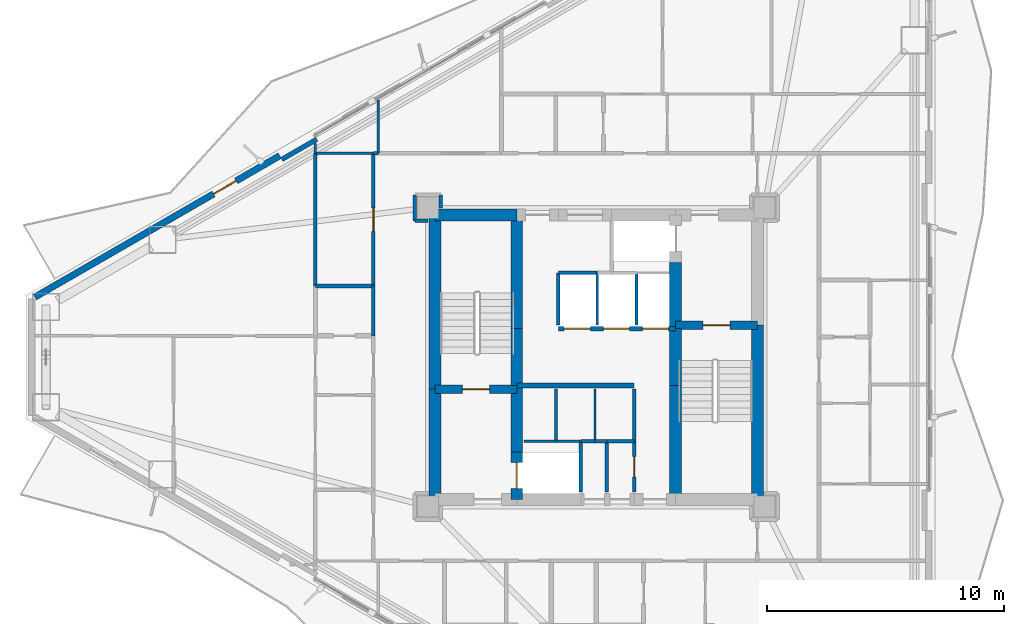
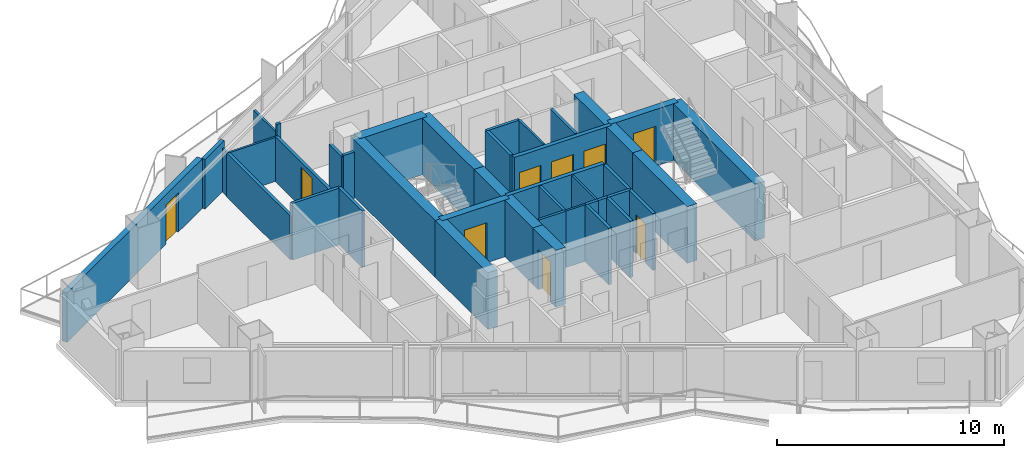
# One storey, part 17 of 23: 43 walls, 9 doors, 9 openings.
"""IFC4 building model written with IfcOpenShell, lengths in metres."""

from ifc_helpers import new_model, si_unit, direction, frame, frame_2d, origin, place, context, subcontext, project, spatial, rectangle, extrude, material, layer, layer_set, type_object, element, fill, save


model = new_model("IFC4")

# Units and contexts
model_context = context("Model", 3, precision=1e-05, world=origin(), true_north=direction((0.0, 1.0)))
body_context = subcontext(model_context, "Body", "Model", "MODEL_VIEW")
ifc_project = project(units=[si_unit("LENGTHUNIT", "METRE"), si_unit("AREAUNIT", "SQUARE_METRE"), si_unit("VOLUMEUNIT", "CUBIC_METRE"), si_unit("PLANEANGLEUNIT", "RADIAN"), si_unit("MASSUNIT", "GRAM", prefix="KILO")], contexts=[model_context])

# Site, building, storey
site_placement = place(None, origin())
site = spatial("IfcSite", under=ifc_project, at=site_placement, CompositionType="ELEMENT")
building_placement = place(site_placement, origin())
building = spatial("IfcBuilding", under=site, at=building_placement, Name="Mersakhor Tower and Convention Hall", CompositionType="ELEMENT")
storey_placement = place(building_placement, frame((0.0, 0.0, 73.5)))
storey = spatial("IfcBuildingStorey", under=building, at=storey_placement, Name="L19", CompositionType="ELEMENT", Elevation=73.5)

# Wall, opening, door
ifc_material_1 = material(Name="Precast concrete C45/55", Category="concrete")
ifc_layer_1 = layer(ifc_material_1, 0.27490234375)
ifc_layer_set_1 = layer_set([ifc_layer_1], Name="Precast concrete C45/55")
wall_type_1 = type_object("IfcWallType", Name="WL-EXT-275", PredefinedType="SOLIDWALL", material=ifc_layer_set_1)
wall_1_placement = place(storey_placement, frame((5.316650390625, 29.2822265625, 0.0), z_axis=(0.0, 0.0, 1.0), x_axis=(0.866023023012, 0.500004123596, 0.0)))
wall_1 = element("IfcWall", 1, at=wall_1_placement, inside=storey, type_object=wall_type_1, Name="L19 Exterior Facade Wall F1-B1", PredefinedType="SOLIDWALL", context=body_context, shape_type="SweptSolid", body=[
    extrude(rectangle(XDim=11.9296875, YDim=0.27490234375, at=frame_2d((5.96484375, 0.0))), origin(), (0.0, 0.0, 1.0), 2.669921875),
])
opening_1_placement = place(wall_1_placement, frame((8.7041015625, 0.0, 0.0)))
opening_1 = element("IfcOpeningElement", 2, at=opening_1_placement, cuts=wall_1, Name="Opening BD-02", PredefinedType="OPENING", context=body_context, shape_type="SweptSolid", body=[
    extrude(rectangle(XDim=1.10009765625, YDim=2.10009765625, at=frame_2d((0.550048828125, 1.050048828125))), frame((0.0, 0.1474609375, 0.0), z_axis=(0.0, -1.0, 0.0), x_axis=(1.0, 0.0, 0.0)), (0.0, 0.0, 1.0), 0.294921875),
])
ifc_material_2 = material(Name="Thermally broken dark aluminium and safety glass", Category="aluminium")
door_type_1 = type_object("IfcDoorType", Name="DR-BAL-110x210", OperationType="NOTDEFINED", PredefinedType="DOOR", material=ifc_material_2)
door_1_placement = place(opening_1_placement, origin())
door_1 = element("IfcDoor", 3, at=door_1_placement, inside=storey, type_object=door_type_1, Name="L19 Balcony Terrace Door F1-B1", OperationType="SINGLE_SWING_RIGHT", OverallHeight=2.10009765625, OverallWidth=1.10009765625, PredefinedType="DOOR", context=body_context, shape_type="SweptSolid", body=[
    extrude(rectangle(XDim=1.10009765625, YDim=2.10009765625, at=frame_2d((0.550048828125, 1.050048828125))), frame((0.0, 0.02490234375, 0.0), z_axis=(0.0, -1.0, 0.0), x_axis=(1.0, 0.0, 0.0)), (0.0, 0.0, 1.0), 0.050048828125),
])
fill(opening_1, door_1)

# Walls
ifc_material_3 = material(Name="Precast concrete C40/50", Category="concrete")
ifc_layer_2 = layer(ifc_material_3, 0.199951171875)
ifc_layer_set_2 = layer_set([ifc_layer_2], Name="Precast concrete C40/50")
wall_type_2 = type_object("IfcWallType", Name="WL-PAR-200", PredefinedType="PARAPET", material=ifc_layer_set_2)
wall_2_placement = place(storey_placement, frame((15.73779296875, 35.091064453125, 0.0), z_axis=(0.0, 0.0, 1.0), x_axis=(0.866025371046, 0.500000056704, 0.0)))
element("IfcWall", 4, at=wall_2_placement, inside=storey, type_object=wall_type_2, Name="L19 Column Pier Cladding Wall F1-C1", PredefinedType="PARAPET", context=body_context, shape_type="SweptSolid", body=[
    extrude(rectangle(XDim=1.7001953125, YDim=0.199951171875, at=frame_2d((0.85009765625, 0.0))), origin(), (0.0, 0.0, 1.0), 2.669921875),
])
ifc_material_4 = material(Name="Lightweight gypsum partition", Category="other")
ifc_layer_3 = layer(ifc_material_4, 0.10009765625)
ifc_layer_set_3 = layer_set([ifc_layer_3], Name="Lightweight gypsum partition")
wall_type_3 = type_object("IfcWallType", Name="WL-PRT-100", PredefinedType="PARTITIONING", material=ifc_layer_set_3)
wall_3_placement = place(storey_placement, frame((27.300048828125, 23.199951171875, 0.0), z_axis=(0.0, 0.0, 1.0), x_axis=(1.0, 0.0, 0.0)))
element("IfcWall", 5, at=wall_3_placement, inside=storey, type_object=wall_type_3, Name="L19 Interior Partition Wall P-002", PredefinedType="PARTITIONING", context=body_context, shape_type="SweptSolid", body=[
    extrude(rectangle(XDim=1.050048828125, YDim=0.10009765625, at=frame_2d((0.52490234375, 0.0))), origin(), (0.0, 0.0, 1.0), 3.050048828125),
])
for number, where, z_axis, x_axis, name in (
    (6, (28.949951171875, 25.39990234375, 0.0), (0.0, 0.0, 1.0), (0.0, -1.0, 0.0), "L19 Interior Partition Wall P-008"),
    (7, (29.050048828125, 30.300048828125, 0.0), (0.0, 0.0, 1.0), (0.0, -1.0, 0.0), "L19 Interior Partition Wall P-014"),
):
    element("IfcWall", number, at=place(storey_placement, frame(where, z_axis=z_axis, x_axis=x_axis)), inside=storey, type_object=wall_type_3, Name=name, PredefinedType="PARTITIONING", context=body_context, shape_type="SweptSolid", body=[
        extrude(rectangle(XDim=2.199951171875, YDim=0.10009765625, at=frame_2d((1.10009765625, 0.0))), origin(), (0.0, 0.0, 1.0), 3.050048828125),
    ])
wall_4_placement = place(storey_placement, frame((19.800048828125, 35.35009765625, 0.0), z_axis=(0.0, 0.0, 1.0), x_axis=(0.0, 1.0, 0.0)))
element("IfcWall", 8, at=wall_4_placement, inside=storey, type_object=wall_type_3, Name="L19 Interior Partition Wall P-104", PredefinedType="PARTITIONING", context=body_context, shape_type="SweptSolid", body=[
    extrude(rectangle(XDim=2.25244140625, YDim=0.10009765625, at=frame_2d((1.126220703125, 0.0))), origin(), (0.0, 0.0, 1.0), 2.364990234375),
])
wall_5_placement = place(storey_placement, frame((17.14990234375, 35.35009765625, 0.0), z_axis=(0.0, 0.0, 1.0), x_axis=(1.0, 0.0, 0.0)))
element("IfcWall", 9, at=wall_5_placement, inside=storey, type_object=wall_type_3, Name="L19 Interior Partition Wall P-106", PredefinedType="PARTITIONING", context=body_context, shape_type="SweptSolid", body=[
    extrude(rectangle(XDim=2.4501953125, YDim=0.10009765625, at=frame_2d((1.22509765625, 0.0))), origin(), (0.0, 0.0, 1.0), 2.364990234375),
])
wall_6_placement = place(storey_placement, frame((17.14990234375, 35.76318359375, 0.0), z_axis=(0.0, 0.0, 1.0), x_axis=(0.0, -1.0, 0.0)))
element("IfcWall", 10, at=wall_6_placement, inside=storey, type_object=wall_type_3, Name="L19 Interior Partition Wall P-132", PredefinedType="PARTITIONING", context=body_context, shape_type="SweptSolid", body=[
    extrude(rectangle(XDim=0.4130859375, YDim=0.10009765625, at=frame_2d((0.20654296875, 0.0))), origin(), (0.0, 0.0, 1.0), 2.364990234375),
])
ifc_material_5 = material(Name="Gypsum board acoustic partition", Category="other")
ifc_layer_4 = layer(ifc_material_5, 0.125)
ifc_layer_set_4 = layer_set([ifc_layer_4], Name="Gypsum board acoustic partition")
wall_type_4 = type_object("IfcWallType", Name="WL-PRT-125", PredefinedType="PARTITIONING", material=ifc_layer_set_4)
wall_7_placement = place(storey_placement, frame((25.949951171875, 23.199951171875, 0.0), z_axis=(0.0, 0.0, 1.0), x_axis=(1.0, 0.0, 0.0)))
element("IfcWall", 11, at=wall_7_placement, inside=storey, type_object=wall_type_4, Name="L19 Interior Partition Wall P-001", PredefinedType="PARTITIONING", context=body_context, shape_type="SweptSolid", body=[
    extrude(rectangle(XDim=1.35009765625, YDim=0.125, at=frame_2d((0.675048828125, 0.0))), origin(), (0.0, 0.0, 1.0), 3.050048828125),
])
for number, where, z_axis, x_axis, name in (
    (12, (27.300048828125, 25.39990234375, 0.0), (0.0, 0.0, 1.0), (0.0, -1.0, 0.0), "L19 Interior Partition Wall P-007"),
    (13, (30.699951171875, 30.300048828125, 0.0), (0.0, 0.0, 1.0), (0.0, -1.0, 0.0), "L19 Interior Partition Wall P-017"),
):
    element("IfcWall", number, at=place(storey_placement, frame(where, z_axis=z_axis, x_axis=x_axis)), inside=storey, type_object=wall_type_4, Name=name, PredefinedType="PARTITIONING", context=body_context, shape_type="SweptSolid", body=[
        extrude(rectangle(XDim=2.199951171875, YDim=0.125, at=frame_2d((1.10009765625, 0.0))), origin(), (0.0, 0.0, 1.0), 3.050048828125),
    ])
ifc_material_6 = material(Name="Fire-rated gypsum board stud partition", Category="other")
ifc_layer_5 = layer(ifc_material_6, 0.14990234375)
ifc_layer_set_5 = layer_set([ifc_layer_5], Name="Fire-rated gypsum board stud partition")
wall_type_5 = type_object("IfcWallType", Name="WL-PRT-150", PredefinedType="PARTITIONING", material=ifc_layer_set_5)
wall_8_placement = place(storey_placement, frame((28.35009765625, 23.199951171875, 0.0), z_axis=(0.0, 0.0, 1.0), x_axis=(0.0, -1.0, 0.0)))
element("IfcWall", 14, at=wall_8_placement, inside=storey, type_object=wall_type_5, Name="L19 Interior Partition Wall P-003", PredefinedType="PARTITIONING", context=body_context, shape_type="SweptSolid", body=[
    extrude(rectangle(XDim=2.14990234375, YDim=0.14990234375, at=frame_2d((1.074951171875, 0.0))), origin(), (0.0, 0.0, 1.0), 3.050048828125),
])
wall_9_placement = place(storey_placement, frame((28.949951171875, 23.199951171875, 0.0), z_axis=(0.0, 0.0, 1.0), x_axis=(-1.0, 0.0, 0.0)))
element("IfcWall", 15, at=wall_9_placement, inside=storey, type_object=wall_type_5, Name="L19 Interior Partition Wall P-009", PredefinedType="PARTITIONING", context=body_context, shape_type="SweptSolid", body=[
    extrude(rectangle(XDim=0.599853515625, YDim=0.14990234375, at=frame_2d((0.2998046875, 0.0))), origin(), (0.0, 0.0, 1.0), 3.050048828125),
])
wall_10_placement = place(storey_placement, frame((30.60009765625, 25.39990234375, 0.0), z_axis=(0.0, 0.0, 1.0), x_axis=(0.0, -1.0, 0.0)))
element("IfcWall", 16, at=wall_10_placement, inside=storey, type_object=wall_type_5, Name="L19 Interior Partition Wall P-010", PredefinedType="PARTITIONING", context=body_context, shape_type="SweptSolid", body=[
    extrude(rectangle(XDim=2.199951171875, YDim=0.14990234375, at=frame_2d((1.10009765625, 0.0))), origin(), (0.0, 0.0, 1.0), 3.050048828125),
])
wall_11_placement = place(storey_placement, frame((30.60009765625, 23.199951171875, 0.0), z_axis=(0.0, 0.0, 1.0), x_axis=(-1.0, 0.0, 0.0)))
element("IfcWall", 17, at=wall_11_placement, inside=storey, type_object=wall_type_5, Name="L19 Interior Partition Wall P-011", PredefinedType="PARTITIONING", context=body_context, shape_type="SweptSolid", body=[
    extrude(rectangle(XDim=1.150146484375, YDim=0.14990234375, at=frame_2d((0.5751953125, 0.0))), origin(), (0.0, 0.0, 1.0), 3.050048828125),
])
wall_12_placement = place(storey_placement, frame((29.449951171875, 23.199951171875, 0.0), z_axis=(0.0, 0.0, 1.0), x_axis=(-1.0, 0.0, 0.0)))
element("IfcWall", 18, at=wall_12_placement, inside=storey, type_object=wall_type_5, Name="L19 Interior Partition Wall P-012", PredefinedType="PARTITIONING", context=body_context, shape_type="SweptSolid", body=[
    extrude(rectangle(XDim=0.5, YDim=0.14990234375, at=frame_2d((0.25, 0.0))), origin(), (0.0, 0.0, 1.0), 3.050048828125),
])
wall_13_placement = place(storey_placement, frame((27.39990234375, 30.300048828125, 0.0), z_axis=(0.0, 0.0, 1.0), x_axis=(1.0, 0.0, 0.0)))
element("IfcWall", 19, at=wall_13_placement, inside=storey, type_object=wall_type_5, Name="L19 Interior Partition Wall P-013", PredefinedType="PARTITIONING", context=body_context, shape_type="SweptSolid", body=[
    extrude(rectangle(XDim=1.650146484375, YDim=0.14990234375, at=frame_2d((0.8251953125, 0.0))), origin(), (0.0, 0.0, 1.0), 3.050048828125),
])
wall_14_placement = place(storey_placement, frame((27.39990234375, 28.10009765625, 0.0), z_axis=(0.0, 0.0, 1.0), x_axis=(0.0, 1.0, 0.0)))
element("IfcWall", 20, at=wall_14_placement, inside=storey, type_object=wall_type_5, Name="L19 Interior Partition Wall P-015", PredefinedType="PARTITIONING", context=body_context, shape_type="SweptSolid", body=[
    extrude(rectangle(XDim=2.199951171875, YDim=0.14990234375, at=frame_2d((1.10009765625, 0.0))), origin(), (0.0, 0.0, 1.0), 3.050048828125),
])

# Wall, opening, door
wall_15_placement = place(storey_placement, frame((30.60009765625, 21.050048828125, 0.0), z_axis=(0.0, 0.0, 1.0), x_axis=(0.0, 1.0, 0.0)))
wall_15 = element("IfcWall", 21, at=wall_15_placement, inside=storey, type_object=wall_type_5, Name="L19 Interior Partition Wall P-018", PredefinedType="PARTITIONING", context=body_context, shape_type="SweptSolid", body=[
    extrude(rectangle(XDim=2.14990234375, YDim=0.14990234375, at=frame_2d((1.074951171875, 0.0))), origin(), (0.0, 0.0, 1.0), 3.050048828125),
])
opening_2_placement = place(wall_15_placement, frame((0.64990234375, 0.0, 0.0)))
opening_2 = element("IfcOpeningElement", 22, at=opening_2_placement, cuts=wall_15, Name="Opening SVD-01", PredefinedType="OPENING", context=body_context, shape_type="SweptSolid", body=[
    extrude(rectangle(XDim=0.85009765625, YDim=2.10009765625, at=frame_2d((0.425048828125, 1.050048828125))), frame((0.0, 0.0849609375, 0.0), z_axis=(0.0, -1.0, 0.0), x_axis=(1.0, 0.0, 0.0)), (0.0, 0.0, 1.0), 0.169921875),
])
ifc_material_7 = material(Name="Fire-rated hardwood leaf and painted steel frame", Category="steel")
door_type_2 = type_object("IfcDoorType", Name="DR-INT-SVC-085x210", OperationType="NOTDEFINED", PredefinedType="DOOR", material=ifc_material_7)
door_2_placement = place(opening_2_placement, origin())
door_2 = element("IfcDoor", 23, at=door_2_placement, inside=storey, type_object=door_type_2, Name="L19 Central Passenger Lift Lobby to Core Maintenance Store Room Door", OperationType="SINGLE_SWING_LEFT", OverallHeight=2.10009765625, OverallWidth=0.85009765625, PredefinedType="DOOR", context=body_context, shape_type="SweptSolid", body=[
    extrude(rectangle(XDim=0.85009765625, YDim=2.10009765625, at=frame_2d((0.425048828125, 1.050048828125))), frame((0.0, 0.02490234375, 0.0), z_axis=(0.0, -1.0, 0.0), x_axis=(1.0, 0.0, 0.0)), (0.0, 0.0, 1.0), 0.050048828125),
])
fill(opening_2, door_2)

# Wall
wall_16_placement = place(storey_placement, frame((19.60009765625, 27.64990234375, 0.0), z_axis=(0.0, 0.0, 1.0), x_axis=(0.0, 1.0, 0.0)))
element("IfcWall", 24, at=wall_16_placement, inside=storey, type_object=wall_type_5, Name="L19 Interior Partition Wall P-035", PredefinedType="PARTITIONING", context=body_context, shape_type="SweptSolid", body=[
    extrude(rectangle(XDim=2.10009765625, YDim=0.14990234375, at=frame_2d((1.050048828125, 0.0))), origin(), (0.0, 0.0, 1.0), 3.050048828125),
])

# Wall, opening, door
wall_17_placement = place(storey_placement, frame((19.60009765625, 29.75, 0.0), z_axis=(0.0, 0.0, 1.0), x_axis=(0.0, 1.0, 0.0)))
wall_17 = element("IfcWall", 25, at=wall_17_placement, inside=storey, type_object=wall_type_5, Name="L19 Interior Partition Wall P-036", PredefinedType="PARTITIONING", context=body_context, shape_type="SweptSolid", body=[
    extrude(rectangle(XDim=5.60009765625, YDim=0.14990234375, at=frame_2d((2.800048828125, 0.0))), origin(), (0.0, 0.0, 1.0), 2.4228515625),
])
opening_3_placement = place(wall_17_placement, frame((2.300048828125, 0.0, 0.0)))
opening_3 = element("IfcOpeningElement", 26, at=opening_3_placement, cuts=wall_17, Name="Opening FD-01", PredefinedType="OPENING", context=body_context, shape_type="SweptSolid", body=[
    extrude(rectangle(XDim=1.0, YDim=2.14990234375, at=frame_2d((0.5, 1.074951171875))), frame((0.0, 0.0849609375, 0.0), z_axis=(0.0, -1.0, 0.0), x_axis=(1.0, 0.0, 0.0)), (0.0, 0.0, 1.0), 0.169921875),
])
ifc_material_8 = material(Name="Fire-rated hardwood leaf and painted steel frame", Category="steel")
door_type_3 = type_object("IfcDoorType", Name="DR-INT-FLT-100x215", OperationType="NOTDEFINED", PredefinedType="DOOR", material=ifc_material_8)
door_3_placement = place(opening_3_placement, origin())
door_3 = element("IfcDoor", 27, at=door_3_placement, inside=storey, type_object=door_type_3, Name="L19 Residential Ring Corridor to L19 West Wing Shared Study Room Door", OperationType="SINGLE_SWING_RIGHT", OverallHeight=2.14990234375, OverallWidth=1.0, PredefinedType="DOOR", context=body_context, shape_type="SweptSolid", body=[
    extrude(rectangle(XDim=1.0, YDim=2.14990234375, at=frame_2d((0.5, 1.074951171875))), frame((0.0, 0.02490234375, 0.0), z_axis=(0.0, -1.0, 0.0), x_axis=(1.0, 0.0, 0.0)), (0.0, 0.0, 1.0), 0.050048828125),
])
fill(opening_3, door_3)

# Walls
wall_18_placement = place(storey_placement, frame((19.60009765625, 35.35009765625, 0.0), z_axis=(0.0, 0.0, 1.0), x_axis=(1.0, 0.0, 0.0)))
element("IfcWall", 28, at=wall_18_placement, inside=storey, type_object=wall_type_5, Name="L19 Interior Partition Wall P-037", PredefinedType="PARTITIONING", context=body_context, shape_type="SweptSolid", body=[
    extrude(rectangle(XDim=0.199951171875, YDim=0.14990234375, at=frame_2d((0.10009765625, 0.0))), origin(), (0.0, 0.0, 1.0), 3.050048828125),
])
wall_19_placement = place(storey_placement, frame((22.449951171875, 33.050048828125, 0.0), z_axis=(0.0, 0.0, 1.0), x_axis=(0.0, 1.0, 0.0)))
element("IfcWall", 29, at=wall_19_placement, inside=storey, type_object=wall_type_5, Name="L19 Interior Partition Wall P-047", PredefinedType="PARTITIONING", context=body_context, shape_type="SweptSolid", body=[
    extrude(rectangle(XDim=0.550048828125, YDim=0.14990234375, at=frame_2d((0.27490234375, 0.0))), origin(), (0.0, 0.0, 1.0), 2.498291015625),
])
wall_20_placement = place(storey_placement, frame((21.35009765625, 33.60009765625, 0.0), z_axis=(0.0, 0.0, 1.0), x_axis=(0.0, -1.0, 0.0)))
element("IfcWall", 30, at=wall_20_placement, inside=storey, type_object=wall_type_5, Name="L19 Interior Partition Wall P-049", PredefinedType="PARTITIONING", context=body_context, shape_type="SweptSolid", body=[
    extrude(rectangle(XDim=1.10009765625, YDim=0.14990234375, at=frame_2d((0.550048828125, 0.0))), origin(), (0.0, 0.0, 1.0), 2.4228515625),
])
wall_21_placement = place(storey_placement, frame((21.35009765625, 32.5, 0.0), z_axis=(0.0, 0.0, 1.0), x_axis=(1.0, 0.0, 0.0)))
element("IfcWall", 31, at=wall_21_placement, inside=storey, type_object=wall_type_5, Name="L19 Interior Partition Wall P-050", PredefinedType="PARTITIONING", context=body_context, shape_type="SweptSolid", body=[
    extrude(rectangle(XDim=0.5498046875, YDim=0.14990234375, at=frame_2d((0.27490234375, 0.0))), origin(), (0.0, 0.0, 1.0), 2.498291015625),
])
wall_22_placement = place(storey_placement, frame((17.14990234375, 29.75, 0.0), z_axis=(0.0, 0.0, 1.0), x_axis=(1.0, 0.0, 0.0)))
element("IfcWall", 32, at=wall_22_placement, inside=storey, type_object=wall_type_5, Name="L19 Interior Partition Wall P-095", PredefinedType="PARTITIONING", context=body_context, shape_type="SweptSolid", body=[
    extrude(rectangle(XDim=2.4501953125, YDim=0.14990234375, at=frame_2d((1.22509765625, 0.0))), origin(), (0.0, 0.0, 1.0), 3.050048828125),
])
wall_23_placement = place(storey_placement, frame((29.449951171875, 23.199951171875, 0.0), z_axis=(0.0, 0.0, 1.0), x_axis=(0.0, -1.0, 0.0)))
element("IfcWall", 33, at=wall_23_placement, inside=storey, type_object=wall_type_5, Name="L19 Interior Partition Wall P-102", PredefinedType="PARTITIONING", context=body_context, shape_type="SweptSolid", body=[
    extrude(rectangle(XDim=2.14990234375, YDim=0.14990234375, at=frame_2d((1.074951171875, 0.0))), origin(), (0.0, 0.0, 1.0), 3.050048828125),
])
wall_24_placement = place(storey_placement, frame((17.14990234375, 29.75, 0.0), z_axis=(0.0, 0.0, 1.0), x_axis=(0.0, 1.0, 0.0)))
element("IfcWall", 34, at=wall_24_placement, inside=storey, type_object=wall_type_5, Name="L19 Interior Partition Wall P-105", PredefinedType="PARTITIONING", context=body_context, shape_type="SweptSolid", body=[
    extrude(rectangle(XDim=5.60009765625, YDim=0.14990234375, at=frame_2d((2.800048828125, 0.0))), origin(), (0.0, 0.0, 1.0), 2.364990234375),
])
ifc_material_9 = material(Name="Acoustic concrete blockwork and gypsum board", Category="masonry")
ifc_layer_6 = layer(ifc_material_9, 0.199951171875)
ifc_layer_set_6 = layer_set([ifc_layer_6], Name="Acoustic concrete blockwork and gypsum board")
wall_type_6 = type_object("IfcWallType", Name="WL-PRT-200", PredefinedType="PARTITIONING", material=ifc_layer_set_6)
wall_25_placement = place(storey_placement, frame((25.64990234375, 25.550048828125, 0.0), z_axis=(0.0, 0.0, 1.0), x_axis=(1.0, 0.0, 0.0)))
element("IfcWall", 35, at=wall_25_placement, inside=storey, type_object=wall_type_6, Name="L19 High-Rise Lift Bank Front Wall", PredefinedType="PARTITIONING", context=body_context, shape_type="SweptSolid", body=[
    extrude(rectangle(XDim=4.9501953125, YDim=0.199951171875, at=frame_2d((2.47509765625, 0.0))), origin(), (0.0, 0.0, 1.0), 3.050048828125),
])

# Wall, openings, doors
wall_26_placement = place(storey_placement, frame((27.39990234375, 27.949951171875, 0.0), z_axis=(0.0, 0.0, 1.0), x_axis=(1.0, 0.0, 0.0)))
wall_26 = element("IfcWall", 36, at=wall_26_placement, inside=storey, type_object=wall_type_6, Name="L19 Low-Rise Lift Bank Front Wall", PredefinedType="PARTITIONING", context=body_context, shape_type="SweptSolid", body=[
    extrude(rectangle(XDim=4.9501953125, YDim=0.199951171875, at=frame_2d((2.47509765625, 0.0))), origin(), (0.0, 0.0, 1.0), 3.050048828125),
])
opening_4_placement = place(wall_26_placement, frame((0.25, 0.0, 0.0)))
opening_4 = element("IfcOpeningElement", 37, at=opening_4_placement, cuts=wall_26, Name="Opening LD-P1", PredefinedType="OPENING", context=body_context, shape_type="SweptSolid", body=[
    extrude(rectangle(XDim=1.10009765625, YDim=2.14990234375, at=frame_2d((0.550048828125, 1.074951171875))), frame((0.0, 0.10986328125, 0.0), z_axis=(0.0, -1.0, 0.0), x_axis=(1.0, 0.0, 0.0)), (0.0, 0.0, 1.0), 0.219970703125),
])
opening_5_placement = place(wall_26_placement, frame((1.89990234375, 0.0, 0.0)))
opening_5 = element("IfcOpeningElement", 38, at=opening_5_placement, cuts=wall_26, Name="Opening LD-P2", PredefinedType="OPENING", context=body_context, shape_type="SweptSolid", body=[
    extrude(rectangle(XDim=1.10009765625, YDim=2.14990234375, at=frame_2d((0.550048828125, 1.074951171875))), frame((0.0, 0.10986328125, 0.0), z_axis=(0.0, -1.0, 0.0), x_axis=(1.0, 0.0, 0.0)), (0.0, 0.0, 1.0), 0.219970703125),
])
opening_6_placement = place(wall_26_placement, frame((3.550048828125, 0.0, 0.0)))
opening_6 = element("IfcOpeningElement", 39, at=opening_6_placement, cuts=wall_26, Name="Opening LD-P3", PredefinedType="OPENING", context=body_context, shape_type="SweptSolid", body=[
    extrude(rectangle(XDim=1.10009765625, YDim=2.14990234375, at=frame_2d((0.550048828125, 1.074951171875))), frame((0.0, 0.10986328125, 0.0), z_axis=(0.0, -1.0, 0.0), x_axis=(1.0, 0.0, 0.0)), (0.0, 0.0, 1.0), 0.219970703125),
])
ifc_material_10 = material(Name="Fire-rated brushed stainless steel sliding landing door", Category="steel")
door_type_4 = type_object("IfcDoorType", Name="DR-LIFT-SLD-110x215", OperationType="NOTDEFINED", PredefinedType="DOOR", material=ifc_material_10)
door_4_placement = place(opening_4_placement, origin())
door_4 = element("IfcDoor", 40, at=door_4_placement, inside=storey, type_object=door_type_4, Name="L19 Lift Landing Door LD-P1", OperationType="SLIDING_TO_LEFT", OverallHeight=2.14990234375, OverallWidth=1.10009765625, PredefinedType="DOOR", context=body_context, shape_type="SweptSolid", body=[
    extrude(rectangle(XDim=1.10009765625, YDim=2.14990234375, at=frame_2d((0.550048828125, 1.074951171875))), frame((0.0, 0.02490234375, 0.0), z_axis=(0.0, -1.0, 0.0), x_axis=(1.0, 0.0, 0.0)), (0.0, 0.0, 1.0), 0.050048828125),
])
fill(opening_4, door_4)
door_5_placement = place(opening_5_placement, origin())
door_5 = element("IfcDoor", 41, at=door_5_placement, inside=storey, type_object=door_type_4, Name="L19 Lift Landing Door LD-P2", OperationType="SLIDING_TO_LEFT", OverallHeight=2.14990234375, OverallWidth=1.10009765625, PredefinedType="DOOR", context=body_context, shape_type="SweptSolid", body=[
    extrude(rectangle(XDim=1.10009765625, YDim=2.14990234375, at=frame_2d((0.550048828125, 1.074951171875))), frame((0.0, 0.02490234375, 0.0), z_axis=(0.0, -1.0, 0.0), x_axis=(1.0, 0.0, 0.0)), (0.0, 0.0, 1.0), 0.050048828125),
])
fill(opening_5, door_5)
door_6_placement = place(opening_6_placement, origin())
door_6 = element("IfcDoor", 42, at=door_6_placement, inside=storey, type_object=door_type_4, Name="L19 Lift Landing Door LD-P3", OperationType="SLIDING_TO_LEFT", OverallHeight=2.14990234375, OverallWidth=1.10009765625, PredefinedType="DOOR", context=body_context, shape_type="SweptSolid", body=[
    extrude(rectangle(XDim=1.10009765625, YDim=2.14990234375, at=frame_2d((0.550048828125, 1.074951171875))), frame((0.0, 0.02490234375, 0.0), z_axis=(0.0, -1.0, 0.0), x_axis=(1.0, 0.0, 0.0)), (0.0, 0.0, 1.0), 0.050048828125),
])
fill(opening_6, door_6)

# Wall, opening, door
ifc_material_11 = material(Name="Concrete C50/60", Category="concrete")
ifc_layer_7 = layer(ifc_material_11, 0.35009765625)
ifc_layer_set_7 = layer_set([ifc_layer_7], Name="Concrete C50/60")
wall_type_7 = type_object("IfcWallType", Name="WL-SHR-350", PredefinedType="SHEAR", material=ifc_layer_set_7)
wall_27_placement = place(storey_placement, frame((22.199951171875, 25.39990234375, 0.0), z_axis=(0.0, 0.0, 1.0), x_axis=(1.0, 0.0, 0.0)))
wall_27 = element("IfcWall", 43, at=wall_27_placement, inside=storey, type_object=wall_type_7, Name="L19 Core Wall CS-ST1-S", PredefinedType="SHEAR", context=body_context, shape_type="SweptSolid", body=[
    extrude(rectangle(XDim=3.449951171875, YDim=0.35009765625, at=frame_2d((1.72509765625, 0.0))), origin(), (0.0, 0.0, 1.0), 3.050048828125),
])
opening_7_placement = place(wall_27_placement, frame((1.14990234375, 0.0, 0.0)))
opening_7 = element("IfcOpeningElement", 44, at=opening_7_placement, cuts=wall_27, Name="Opening SD-01", PredefinedType="OPENING", context=body_context, shape_type="SweptSolid", body=[
    extrude(rectangle(XDim=1.14990234375, YDim=2.14990234375, at=frame_2d((0.574951171875, 1.074951171875))), frame((0.0, 0.18505859375, 0.0), z_axis=(0.0, -1.0, 0.0), x_axis=(1.0, 0.0, 0.0)), (0.0, 0.0, 1.0), 0.3701171875),
])
ifc_material_12 = material(Name="Fire-rated hardwood leaf and painted steel frame", Category="steel")
door_type_5 = type_object("IfcDoorType", Name="DR-INT-STAIR-115x215", OperationType="NOTDEFINED", PredefinedType="DOOR", material=ifc_material_12)
door_7_placement = place(opening_7_placement, origin())
door_7 = element("IfcDoor", 45, at=door_7_placement, inside=storey, type_object=door_type_5, Name="L19 Exit Stair ST-1 Enclosure Door", OperationType="SINGLE_SWING_LEFT", OverallHeight=2.14990234375, OverallWidth=1.14990234375, PredefinedType="DOOR", context=body_context, shape_type="SweptSolid", body=[
    extrude(rectangle(XDim=1.14990234375, YDim=2.14990234375, at=frame_2d((0.574951171875, 1.074951171875))), frame((0.0, 0.02490234375, 0.0), z_axis=(0.0, -1.0, 0.0), x_axis=(1.0, 0.0, 0.0)), (0.0, 0.0, 1.0), 0.050048828125),
])
fill(opening_7, door_7)

wall_28_placement = place(storey_placement, frame((32.35009765625, 28.10009765625, 0.0), z_axis=(0.0, 0.0, 1.0), x_axis=(1.0, 0.0, 0.0)))
wall_28 = element("IfcWall", 46, at=wall_28_placement, inside=storey, type_object=wall_type_7, Name="L19 Core Wall CS-ST2-N", PredefinedType="SHEAR", context=body_context, shape_type="SweptSolid", body=[
    extrude(rectangle(XDim=3.449951171875, YDim=0.35009765625, at=frame_2d((1.72509765625, 0.0))), origin(), (0.0, 0.0, 1.0), 3.050048828125),
])
opening_8_placement = place(wall_28_placement, frame((1.14990234375, 0.0, 0.0)))
opening_8 = element("IfcOpeningElement", 47, at=opening_8_placement, cuts=wall_28, Name="Opening SD-01", PredefinedType="OPENING", context=body_context, shape_type="SweptSolid", body=[
    extrude(rectangle(XDim=1.14990234375, YDim=2.14990234375, at=frame_2d((0.574951171875, 1.074951171875))), frame((0.0, 0.18505859375, 0.0), z_axis=(0.0, -1.0, 0.0), x_axis=(1.0, 0.0, 0.0)), (0.0, 0.0, 1.0), 0.3701171875),
])
door_8_placement = place(opening_8_placement, origin())
door_8 = element("IfcDoor", 48, at=door_8_placement, inside=storey, type_object=door_type_5, Name="L19 Exit Stair ST-2 Enclosure Door", OperationType="SINGLE_SWING_RIGHT", OverallHeight=2.14990234375, OverallWidth=1.14990234375, PredefinedType="DOOR", context=body_context, shape_type="SweptSolid", body=[
    extrude(rectangle(XDim=1.14990234375, YDim=2.14990234375, at=frame_2d((0.574951171875, 1.074951171875))), frame((0.0, 0.02490234375, 0.0), z_axis=(0.0, -1.0, 0.0), x_axis=(1.0, 0.0, 0.0)), (0.0, 0.0, 1.0), 0.050048828125),
])
fill(opening_8, door_8)

# Walls
ifc_material_13 = material(Name="Concrete C70/85", Category="concrete")
ifc_layer_8 = layer(ifc_material_13, 0.5)
ifc_layer_set_8 = layer_set([ifc_layer_8], Name="Concrete C70/85")
wall_type_8 = type_object("IfcWallType", Name="WL-SHR-500", PredefinedType="SHEAR", material=ifc_layer_set_8)
wall_29_placement = place(storey_placement, frame((22.199951171875, 20.75, 0.0), z_axis=(0.0, 0.0, 1.0), x_axis=(0.0, 1.0, 0.0)))
element("IfcWall", 49, at=wall_29_placement, inside=storey, type_object=wall_type_8, Name="L19 Core Wall CW-W1", PredefinedType="SHEAR", context=body_context, shape_type="SweptSolid", body=[
    extrude(rectangle(XDim=4.64990234375, YDim=0.5, at=frame_2d((2.324951171875, 0.0))), origin(), (0.0, 0.0, 1.0), 3.050048828125),
])
wall_30_placement = place(storey_placement, frame((22.199951171875, 25.39990234375, 0.0), z_axis=(0.0, 0.0, 1.0), x_axis=(0.0, 1.0, 0.0)))
element("IfcWall", 50, at=wall_30_placement, inside=storey, type_object=wall_type_8, Name="L19 Core Wall CW-W2", PredefinedType="SHEAR", context=body_context, shape_type="SweptSolid", body=[
    extrude(rectangle(XDim=7.35009765625, YDim=0.5, at=frame_2d((3.675048828125, 0.0))), origin(), (0.0, 0.0, 1.0), 3.050048828125),
])
wall_31_placement = place(storey_placement, frame((22.199951171875, 32.75, 0.0), z_axis=(0.0, 0.0, 1.0), x_axis=(1.0, 0.0, 0.0)))
element("IfcWall", 51, at=wall_31_placement, inside=storey, type_object=wall_type_8, Name="L19 Core Wall CW-N1", PredefinedType="SHEAR", context=body_context, shape_type="SweptSolid", body=[
    extrude(rectangle(XDim=3.449951171875, YDim=0.5, at=frame_2d((1.72509765625, 0.0))), origin(), (0.0, 0.0, 1.0), 3.050048828125),
])
wall_32_placement = place(storey_placement, frame((35.800048828125, 28.10009765625, 0.0), z_axis=(0.0, 0.0, 1.0), x_axis=(0.0, -1.0, 0.0)))
element("IfcWall", 52, at=wall_32_placement, inside=storey, type_object=wall_type_8, Name="L19 Core Wall CW-E2", PredefinedType="SHEAR", context=body_context, shape_type="SweptSolid", body=[
    extrude(rectangle(XDim=7.35009765625, YDim=0.5, at=frame_2d((3.675048828125, 0.0))), origin(), (0.0, 0.0, 1.0), 3.050048828125),
])

# Wall, opening, door
wall_33_placement = place(storey_placement, frame((25.64990234375, 20.75, 0.0), z_axis=(0.0, 0.0, 1.0), x_axis=(0.0, 1.0, 0.0)))
wall_33 = element("IfcWall", 53, at=wall_33_placement, inside=storey, type_object=wall_type_8, Name="L19 Core Wall CS-W-FFL", PredefinedType="SHEAR", context=body_context, shape_type="SweptSolid", body=[
    extrude(rectangle(XDim=2.0, YDim=0.5, at=frame_2d((1.0, 0.0))), origin(), (0.0, 0.0, 1.0), 3.050048828125),
])
opening_9_placement = place(wall_33_placement, frame((0.449951171875, 0.0, 0.0)))
opening_9 = element("IfcOpeningElement", 54, at=opening_9_placement, cuts=wall_33, Name="Opening LD-FFL1", PredefinedType="OPENING", context=body_context, shape_type="SweptSolid", body=[
    extrude(rectangle(XDim=1.10009765625, YDim=2.14990234375, at=frame_2d((0.550048828125, 1.074951171875))), frame((0.0, 0.260009765625, 0.0), z_axis=(0.0, -1.0, 0.0), x_axis=(1.0, 0.0, 0.0)), (0.0, 0.0, 1.0), 0.52001953125),
])
door_9_placement = place(opening_9_placement, origin())
door_9 = element("IfcDoor", 55, at=door_9_placement, inside=storey, type_object=door_type_4, Name="L19 Firefighting Lift Landing Door LD-FFL1", OperationType="SLIDING_TO_LEFT", OverallHeight=2.14990234375, OverallWidth=1.10009765625, PredefinedType="DOOR", context=body_context, shape_type="SweptSolid", body=[
    extrude(rectangle(XDim=1.10009765625, YDim=2.14990234375, at=frame_2d((0.550048828125, 1.074951171875))), frame((0.0, 0.02490234375, 0.0), z_axis=(0.0, -1.0, 0.0), x_axis=(1.0, 0.0, 0.0)), (0.0, 0.0, 1.0), 0.050048828125),
])
fill(opening_9, door_9)

# Walls
wall_34_placement = place(storey_placement, frame((25.64990234375, 22.75, 0.0), z_axis=(0.0, 0.0, 1.0), x_axis=(0.0, 1.0, 0.0)))
element("IfcWall", 56, at=wall_34_placement, inside=storey, type_object=wall_type_8, Name="L19 Core Wall CS-W-MID", PredefinedType="SHEAR", context=body_context, shape_type="SweptSolid", body=[
    extrude(rectangle(XDim=2.800048828125, YDim=0.5, at=frame_2d((1.39990234375, 0.0))), origin(), (0.0, 0.0, 1.0), 3.050048828125),
])
wall_35_placement = place(storey_placement, frame((25.64990234375, 25.550048828125, 0.0), z_axis=(0.0, 0.0, 1.0), x_axis=(0.0, 1.0, 0.0)))
element("IfcWall", 57, at=wall_35_placement, inside=storey, type_object=wall_type_8, Name="L19 Core Wall CS-W-LOB", PredefinedType="SHEAR", context=body_context, shape_type="SweptSolid", body=[
    extrude(rectangle(XDim=2.39990234375, YDim=0.5, at=frame_2d((1.199951171875, 0.0))), origin(), (0.0, 0.0, 1.0), 3.050048828125),
])
for number, where, z_axis, x_axis, name in (
    (58, (25.64990234375, 27.949951171875, 0.0), (0.0, 0.0, 1.0), (0.0, 1.0, 0.0), "L19 Core Wall CS-W-ST1"),
    (59, (32.35009765625, 20.75, 0.0), (0.0, 0.0, 1.0), (0.0, 1.0, 0.0), "L19 Core Wall CS-E-ST2"),
):
    element("IfcWall", number, at=place(storey_placement, frame(where, z_axis=z_axis, x_axis=x_axis)), inside=storey, type_object=wall_type_8, Name=name, PredefinedType="SHEAR", context=body_context, shape_type="SweptSolid", body=[
        extrude(rectangle(XDim=4.800048828125, YDim=0.5, at=frame_2d((2.39990234375, 0.0))), origin(), (0.0, 0.0, 1.0), 3.050048828125),
    ])
wall_36_placement = place(storey_placement, frame((32.35009765625, 25.550048828125, 0.0), z_axis=(0.0, 0.0, 1.0), x_axis=(0.0, 1.0, 0.0)))
element("IfcWall", 60, at=wall_36_placement, inside=storey, type_object=wall_type_8, Name="L19 Core Wall CS-E-LOB", PredefinedType="SHEAR", context=body_context, shape_type="SweptSolid", body=[
    extrude(rectangle(XDim=2.39990234375, YDim=0.5, at=frame_2d((1.199951171875, 0.0))), origin(), (0.0, 0.0, 1.0), 3.050048828125),
])
wall_37_placement = place(storey_placement, frame((32.35009765625, 27.949951171875, 0.0), z_axis=(0.0, 0.0, 1.0), x_axis=(0.0, 1.0, 0.0)))
element("IfcWall", 61, at=wall_37_placement, inside=storey, type_object=wall_type_8, Name="L19 Core Wall CS-E-MID", PredefinedType="SHEAR", context=body_context, shape_type="SweptSolid", body=[
    extrude(rectangle(XDim=2.800048828125, YDim=0.5, at=frame_2d((1.39990234375, 0.0))), origin(), (0.0, 0.0, 1.0), 3.050048828125),
])

save(model, "model.ifc")
